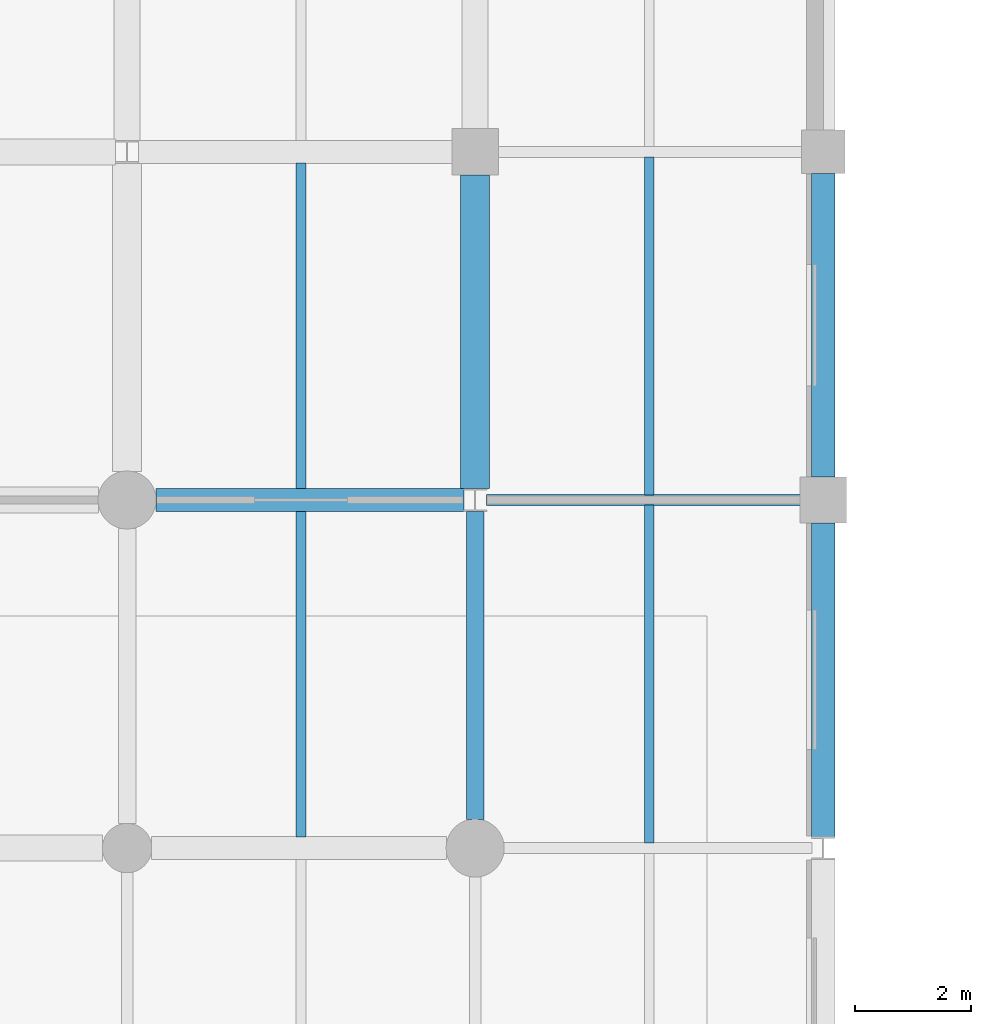
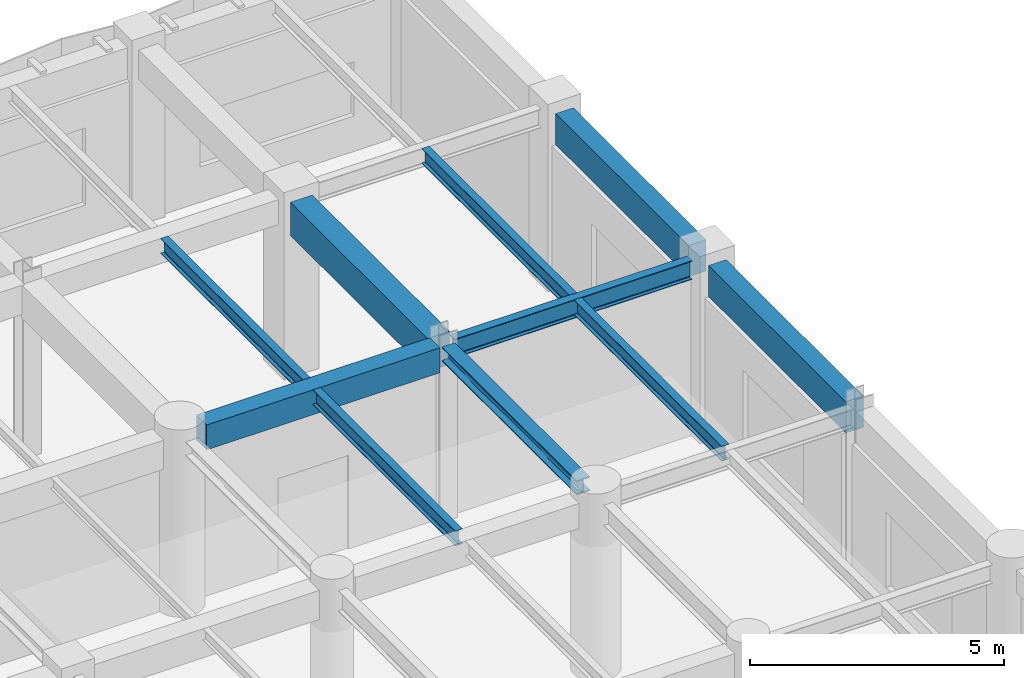
# One storey, part 35 of 133: 10 beams.
"""IFC4 building model written with IfcOpenShell, lengths in metres."""

from ifc_helpers import new_model, si_unit, direction, frame, origin, origin_2d, place, context, subcontext, project, spatial, rectangle, i_section, extrude, material, material_profile, profile_set, type_object, element, save


model = new_model("IFC4")

# Units and contexts
model_context = context("Model", 3, precision=1e-05, world=origin(), true_north=direction((0.0, 1.0)))
body_context = subcontext(model_context, "Body", "Model", "MODEL_VIEW")
ifc_project = project(units=[si_unit("LENGTHUNIT", "METRE"), si_unit("AREAUNIT", "SQUARE_METRE"), si_unit("VOLUMEUNIT", "CUBIC_METRE"), si_unit("PLANEANGLEUNIT", "RADIAN"), si_unit("MASSUNIT", "GRAM", prefix="KILO"), si_unit("THERMODYNAMICTEMPERATUREUNIT", "KELVIN"), si_unit("POWERUNIT", "WATT")], contexts=[model_context])

# Site, building, storey
site_placement = place(None, origin())
site = spatial("IfcSite", under=ifc_project, at=site_placement, CompositionType="ELEMENT")
building_placement = place(site_placement, origin())
building = spatial("IfcBuilding", under=site, at=building_placement, Name="Phaisarnlok Congress Hotel", CompositionType="ELEMENT")
storey_placement = place(building_placement, frame((0.0, 0.0, 6.0)))
storey = spatial("IfcBuildingStorey", under=building, at=storey_placement, Name="L01", CompositionType="ELEMENT", Elevation=6.0)

# Beams
ifc_material_1 = material(Name="Concrete C40/50", Category="concrete")
ifc_material_profile_1 = material_profile(ifc_material_1, rectangle(XDim=0.39990234375, YDim=0.60009765625, at=origin_2d()), Name="RC 400x600")
ifc_profile_set_1 = profile_set([ifc_material_profile_1], Name="Concrete C40/50")
beam_type_1 = type_object("IfcBeamType", Name="BM-RC-400x600", PredefinedType="BEAM", material=ifc_profile_set_1)
beam_1_placement = place(storey_placement, frame((30.4951171875, 108.0, 3.919921875), z_axis=(1.0, 0.0, 0.0), x_axis=(0.0, 1.0, 0.0)))
element("IfcBeam", 1, at=beam_1_placement, inside=storey, type_object=beam_type_1, Name="Beam B-02", PredefinedType="BEAM", context=body_context, shape_type="SweptSolid", body=[
    extrude(rectangle(XDim=0.39990234375, YDim=0.60009765625, at=origin_2d()), origin(), (0.0, 0.0, 1.0), 5.309326171875),
])
ifc_material_profile_2 = material_profile(ifc_material_1, rectangle(XDim=0.5, YDim=0.800048828125, at=origin_2d()), Name="RC 500x800")
ifc_profile_set_2 = profile_set([ifc_material_profile_2], Name="Concrete C40/50")
beam_type_2 = type_object("IfcBeamType", Name="BM-RC-500x800", PredefinedType="BEAM", material=ifc_profile_set_2)
beam_2_placement = place(storey_placement, frame((36.0, 108.194580078125, 3.820068359375), z_axis=(0.0, 1.0, 0.0), x_axis=(-1.0, 0.0, 0.0)))
element("IfcBeam", 2, at=beam_2_placement, inside=storey, type_object=beam_type_2, Name="Beam B-04", PredefinedType="BEAM", context=body_context, shape_type="SweptSolid", body=[
    extrude(rectangle(XDim=0.5, YDim=0.800048828125, at=origin_2d()), origin(), (0.0, 0.0, 1.0), 5.410400390625),
])
ifc_material_2 = material(Name="Steel S355", Category="steel")
ifc_material_profile_3 = material_profile(ifc_material_2, i_section(OverallWidth=0.300048828125, OverallDepth=0.340087890625, WebThickness=0.011962890625, FlangeThickness=0.021484375, FilletRadius=0.027099609375, at=origin_2d()), Name="HEB 340")
ifc_profile_set_3 = profile_set([ifc_material_profile_3], Name="Steel S355")
beam_type_3 = type_object("IfcBeamType", Name="BM-STL-HEB340", PredefinedType="BEAM", material=ifc_profile_set_3)
beam_3_placement = place(storey_placement, frame((36.0, 102.4951171875, 4.050048828125), z_axis=(0.0, 1.0, 0.0), x_axis=(-1.0, 0.0, 0.0)))
element("IfcBeam", 3, at=beam_3_placement, inside=storey, type_object=beam_type_3, Name="Beam SB-07", PredefinedType="BEAM", context=body_context, shape_type="SweptSolid", body=[
    extrude(i_section(OverallWidth=0.300048828125, OverallDepth=0.340087890625, WebThickness=0.011962890625, FlangeThickness=0.021484375, FilletRadius=0.027099609375, at=origin_2d()), origin(), (0.0, 0.0, 1.0), 5.310302734375),
])
ifc_material_profile_4 = material_profile(ifc_material_2, i_section(OverallWidth=0.18994140625, OverallDepth=0.449951171875, WebThickness=0.009521484375, FlangeThickness=0.0146484375, FilletRadius=0.02099609375, at=origin_2d()), Name="IPE 450")
ifc_profile_set_4 = profile_set([ifc_material_profile_4], Name="Steel S355")
beam_type_4 = type_object("IfcBeamType", Name="BM-STL-IPE450", PredefinedType="BEAM", material=ifc_profile_set_4)
beam_4_placement = place(storey_placement, frame((36.195556640625, 108.0, 3.9951171875), z_axis=(1.0, 0.0, 0.0), x_axis=(0.0, 1.0, 0.0)))
element("IfcBeam", 4, at=beam_4_placement, inside=storey, type_object=beam_type_4, Name="Beam SB-01", PredefinedType="BEAM", context=body_context, shape_type="SweptSolid", body=[
    extrude(i_section(OverallWidth=0.18994140625, OverallDepth=0.449951171875, WebThickness=0.009521484375, FlangeThickness=0.0146484375, FilletRadius=0.02099609375, at=origin_2d()), origin(), (0.0, 0.0, 1.0), 5.409423828125),
])
ifc_material_profile_5 = material_profile(ifc_material_2, i_section(OverallWidth=0.169921875, OverallDepth=0.360107421875, WebThickness=0.008056640625, FlangeThickness=0.0126953125, FilletRadius=0.01806640625, at=origin_2d()), Name="IPE 360")
ifc_profile_set_5 = profile_set([ifc_material_profile_5], Name="Steel S355")
beam_type_5 = type_object("IfcBeamType", Name="JS-STL-IPE360", PredefinedType="JOIST", material=ifc_profile_set_5)
for number, where, z_axis, x_axis, name in (
    (5, (33.0, 102.195068359375, 4.0400390625), (0.0, 1.0, 0.0), (-1.0, 0.0, 0.0), "Secondary floor joist J-04"),
    (6, (33.0, 108.195068359375, 4.0400390625), (0.0, 1.0, 0.0), (-1.0, 0.0, 0.0), "Secondary floor joist J-04"),
):
    element("IfcBeam", number, at=place(storey_placement, frame(where, z_axis=z_axis, x_axis=x_axis)), inside=storey, type_object=beam_type_5, Name=name, PredefinedType="JOIST", context=body_context, shape_type="SweptSolid", body=[
        extrude(i_section(OverallWidth=0.169921875, OverallDepth=0.360107421875, WebThickness=0.008056640625, FlangeThickness=0.0126953125, FilletRadius=0.01806640625, at=origin_2d()), origin(), (0.0, 0.0, 1.0), 5.60986328125),
    ])
for number, where, z_axis, x_axis, name in (
    (7, (39.0, 102.090087890625, 4.0400390625), (0.0, 1.0, 0.0), (-1.0, 0.0, 0.0), "Secondary floor joist J-04"),
    (8, (39.0, 108.090087890625, 4.0400390625), (0.0, 1.0, 0.0), (-1.0, 0.0, 0.0), "Secondary floor joist J-04"),
):
    element("IfcBeam", number, at=place(storey_placement, frame(where, z_axis=z_axis, x_axis=x_axis)), inside=storey, type_object=beam_type_5, Name=name, PredefinedType="JOIST", context=body_context, shape_type="SweptSolid", body=[
        extrude(i_section(OverallWidth=0.169921875, OverallDepth=0.360107421875, WebThickness=0.008056640625, FlangeThickness=0.0126953125, FilletRadius=0.01806640625, at=origin_2d()), origin(), (0.0, 0.0, 1.0), 5.81982421875),
    ])
ifc_material_profile_6 = material_profile(ifc_material_1, rectangle(XDim=0.39990234375, YDim=0.75, at=origin_2d()), Name="RC 400x750")
ifc_profile_set_6 = profile_set([ifc_material_profile_6], Name="Concrete C40/50")
beam_type_6 = type_object("IfcBeamType", Name="SP-RC-400x750", PredefinedType="SPANDREL", material=ifc_profile_set_6)
beam_5_placement = place(storey_placement, frame((42.0, 102.194580078125, 3.844970703125), z_axis=(0.0, 1.0, 0.0), x_axis=(-1.0, 0.0, 0.0)))
element("IfcBeam", 9, at=beam_5_placement, inside=storey, type_object=beam_type_6, Name="Beam SP-02", PredefinedType="SPANDREL", context=body_context, shape_type="SweptSolid", body=[
    extrude(rectangle(XDim=0.39990234375, YDim=0.75, at=origin_2d()), origin(), (0.0, 0.0, 1.0), 5.410400390625),
])
beam_6_placement = place(storey_placement, frame((42.0, 108.39501953125, 3.844970703125), z_axis=(0.0, 1.0, 0.0), x_axis=(-1.0, 0.0, 0.0)))
element("IfcBeam", 10, at=beam_6_placement, inside=storey, type_object=beam_type_6, Name="Beam SP-02", PredefinedType="SPANDREL", context=body_context, shape_type="SweptSolid", body=[
    extrude(rectangle(XDim=0.39990234375, YDim=0.75, at=origin_2d()), origin(), (0.0, 0.0, 1.0), 5.23486328125),
])

save(model, "model.ifc")
